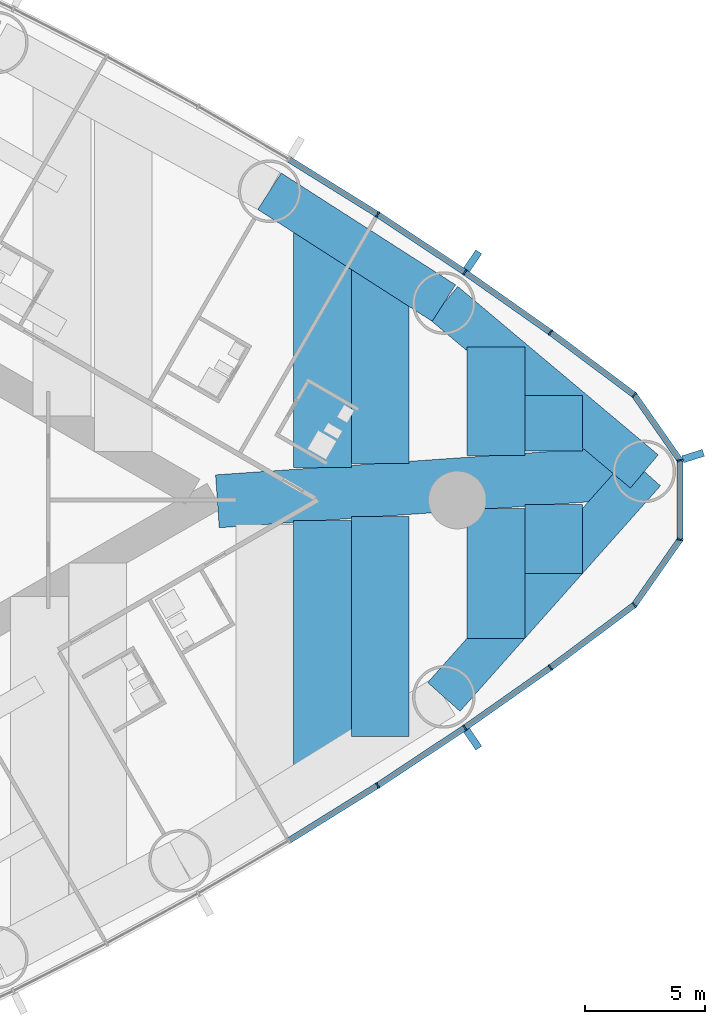
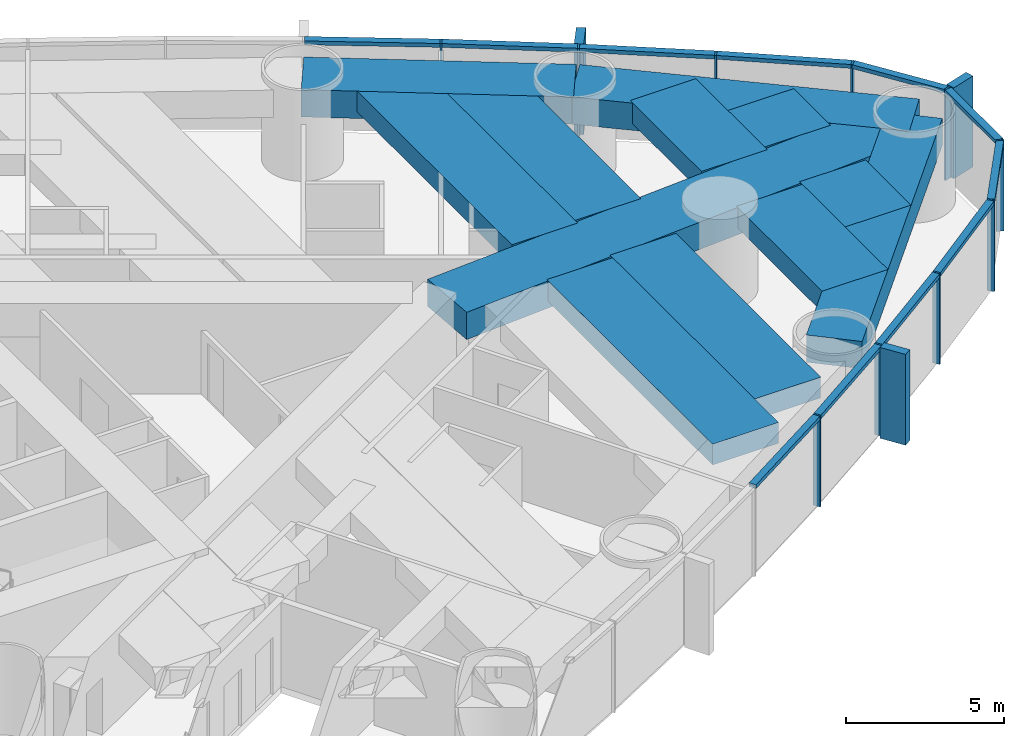
# One storey, part 8 of 18: 24 members, 12 beams, 1 element without a shape of its own.
"""IFC4 building model written with IfcOpenShell, lengths in metres."""

from ifc_helpers import new_model, si_unit, direction, frame, origin, origin_2d, place, context, subcontext, project, spatial, rectangle, extrude, material, material_profile, profile_set, type_object, element, aggregate, save


model = new_model("IFC4")

# Units and contexts
model_context = context("Model", 3, precision=1e-05, world=origin(), true_north=direction((0.0, 1.0)))
body_context = subcontext(model_context, "Body", "Model", "MODEL_VIEW")
ifc_project = project(units=[si_unit("LENGTHUNIT", "METRE"), si_unit("AREAUNIT", "SQUARE_METRE"), si_unit("VOLUMEUNIT", "CUBIC_METRE"), si_unit("PLANEANGLEUNIT", "RADIAN"), si_unit("MASSUNIT", "GRAM", prefix="KILO")], contexts=[model_context])

# Site, building, storey
site_placement = place(None, origin())
site = spatial("IfcSite", under=ifc_project, at=site_placement, CompositionType="ELEMENT")
building_placement = place(site_placement, origin())
building = spatial("IfcBuilding", under=site, at=building_placement, Name="Lancet Gate Hotel", CompositionType="ELEMENT")
storey_placement = place(building_placement, frame((0.0, 0.0, 129.10009765625)))
storey = spatial("IfcBuildingStorey", under=building, at=storey_placement, Name="L34", CompositionType="ELEMENT", Elevation=129.10009765625)

# Curtain wall, members
ifc_material_1 = material(Name="Aluminium curtain wall", Category="aluminium")
curtain_wall_type = type_object("IfcCurtainWallType", Name="Tower unitised curtain wall", PredefinedType="USERDEFINED", material=ifc_material_1)
curtain_wall_placement = place(storey_placement, origin())
curtain_wall = element("IfcCurtainWall", 1, at=curtain_wall_placement, inside=storey, type_object=curtain_wall_type, Name="T2 L34 curtain wall 1", ObjectType="UNITISED CURTAIN WALL", PredefinedType="USERDEFINED")
ifc_material_2 = material(Name="Aluminium mullion", Category="aluminium")
ifc_material_profile_1 = material_profile(ifc_material_2, rectangle(XDim=0.06494140625, YDim=0.25, at=origin_2d()), Name="MULLION 65x250")
ifc_profile_set_1 = profile_set([ifc_material_profile_1], Name="Aluminium mullion")
member_type_1 = type_object("IfcMemberType", Name="Aluminium mullion 65x250", PredefinedType="MULLION", material=ifc_profile_set_1)
member_1_placement = place(storey_placement, frame((58.188720703125, -11.8603515625, 0.0), z_axis=(0.0, 0.0, 1.0), x_axis=(0.841736224144, 0.539888996891, 0.0)))
member_1 = element("IfcMember", 2, at=member_1_placement, type_object=member_type_1, Name="T2 L34 curtain wall 1 mullion 13", PredefinedType="MULLION", context=body_context, shape_type="SweptSolid", body=[
    extrude(rectangle(XDim=0.06494140625, YDim=0.25, at=origin_2d()), origin(), (0.0, 0.0, 1.0), 3.5),
])
member_2_placement = place(storey_placement, frame((61.814208984375, -9.461669921875, 0.0), z_axis=(0.0, 0.0, 1.0), x_axis=(0.826065510491, 0.563574105489, 0.0)))
member_2 = element("IfcMember", 3, at=member_2_placement, type_object=member_type_1, Name="T2 L34 curtain wall 1 mullion 14", PredefinedType="MULLION", context=body_context, shape_type="SweptSolid", body=[
    extrude(rectangle(XDim=0.06494140625, YDim=0.25, at=origin_2d()), origin(), (0.0, 0.0, 1.0), 3.5),
])
member_3_placement = place(storey_placement, frame((65.370361328125, -6.9609375, 0.0), z_axis=(0.0, 0.0, 1.0), x_axis=(0.809728529035, 0.586804660229, 0.0)))
member_3 = element("IfcMember", 4, at=member_3_placement, type_object=member_type_1, Name="T2 L34 curtain wall 1 mullion 15", PredefinedType="MULLION", context=body_context, shape_type="SweptSolid", body=[
    extrude(rectangle(XDim=0.06494140625, YDim=0.25, at=origin_2d()), origin(), (0.0, 0.0, 1.0), 3.5),
])
member_4_placement = place(storey_placement, frame((68.853759765625, -4.360107421875, 0.0), z_axis=(0.0, 0.0, 1.0), x_axis=(0.711610374907, 0.702574319432, 0.0)))
member_4 = element("IfcMember", 5, at=member_4_placement, type_object=member_type_1, Name="T2 L34 curtain wall 1 mullion 16", PredefinedType="MULLION", context=body_context, shape_type="SweptSolid", body=[
    extrude(rectangle(XDim=0.06494140625, YDim=0.25, at=origin_2d()), origin(), (0.0, 0.0, 1.0), 3.5),
])
member_5_placement = place(storey_placement, frame((70.747314453125, -1.652099609375, 0.0), z_axis=(0.0, 0.0, 1.0), x_axis=(0.300384890639, 0.953818073574, 0.0)))
member_5 = element("IfcMember", 6, at=member_5_placement, type_object=member_type_1, Name="T2 L34 curtain wall 1 mullion 17", PredefinedType="MULLION", context=body_context, shape_type="SweptSolid", body=[
    extrude(rectangle(XDim=0.06494140625, YDim=0.25, at=origin_2d()), origin(), (0.0, 0.0, 1.0), 3.5),
])
member_6_placement = place(storey_placement, frame((70.747314453125, 1.652099609375, 0.0), z_axis=(0.0, 0.0, 1.0), x_axis=(-0.300384890639, 0.953818073574, 0.0)))
member_6 = element("IfcMember", 7, at=member_6_placement, type_object=member_type_1, Name="T2 L34 curtain wall 1 mullion 18", PredefinedType="MULLION", context=body_context, shape_type="SweptSolid", body=[
    extrude(rectangle(XDim=0.06494140625, YDim=0.25, at=origin_2d()), origin(), (0.0, 0.0, 1.0), 3.5),
])
member_7_placement = place(storey_placement, frame((68.853759765625, 4.360107421875, 0.0), z_axis=(0.0, 0.0, 1.0), x_axis=(-0.711610374907, 0.702574319432, 0.0)))
member_7 = element("IfcMember", 8, at=member_7_placement, type_object=member_type_1, Name="T2 L34 curtain wall 1 mullion 19", PredefinedType="MULLION", context=body_context, shape_type="SweptSolid", body=[
    extrude(rectangle(XDim=0.06494140625, YDim=0.25, at=origin_2d()), origin(), (0.0, 0.0, 1.0), 3.5),
])
member_8_placement = place(storey_placement, frame((65.370361328125, 6.9609375, 0.0), z_axis=(0.0, 0.0, 1.0), x_axis=(-0.809728529035, 0.586804660229, 0.0)))
member_8 = element("IfcMember", 9, at=member_8_placement, type_object=member_type_1, Name="T2 L34 curtain wall 1 mullion 20", PredefinedType="MULLION", context=body_context, shape_type="SweptSolid", body=[
    extrude(rectangle(XDim=0.06494140625, YDim=0.25, at=origin_2d()), origin(), (0.0, 0.0, 1.0), 3.5),
])
member_9_placement = place(storey_placement, frame((61.814208984375, 9.461669921875, 0.0), z_axis=(0.0, 0.0, 1.0), x_axis=(-0.826065510491, 0.563574105489, 0.0)))
member_9 = element("IfcMember", 10, at=member_9_placement, type_object=member_type_1, Name="T2 L34 curtain wall 1 mullion 21", PredefinedType="MULLION", context=body_context, shape_type="SweptSolid", body=[
    extrude(rectangle(XDim=0.06494140625, YDim=0.25, at=origin_2d()), origin(), (0.0, 0.0, 1.0), 3.5),
])
member_10_placement = place(storey_placement, frame((58.188720703125, 11.8603515625, 0.0), z_axis=(0.0, 0.0, 1.0), x_axis=(-0.841736224144, 0.539888996891, 0.0)))
member_10 = element("IfcMember", 11, at=member_10_placement, type_object=member_type_1, Name="T2 L34 curtain wall 1 mullion 22", PredefinedType="MULLION", context=body_context, shape_type="SweptSolid", body=[
    extrude(rectangle(XDim=0.06494140625, YDim=0.25, at=origin_2d()), origin(), (0.0, 0.0, 1.0), 3.5),
])
ifc_material_3 = material(Name="Aluminium transom", Category="aluminium")
ifc_material_profile_2 = material_profile(ifc_material_3, rectangle(XDim=0.25, YDim=0.14990234375, at=origin_2d()), Name="TRANSOM 250x150")
ifc_profile_set_2 = profile_set([ifc_material_profile_2], Name="Aluminium transom")
member_type_2 = type_object("IfcMemberType", Name="Aluminium transom 250x150", PredefinedType="USERDEFINED", material=ifc_profile_set_2)
member_11_placement = place(storey_placement, frame((54.52392578125, -14.13818359375, 3.4248046875), z_axis=(0.849308812566, 0.527896335371, 0.0), x_axis=(-0.527896335371, 0.849308812566, 0.0)))
member_11 = element("IfcMember", 12, at=member_11_placement, type_object=member_type_2, Name="T2 L34 curtain wall 1 transom 12", ObjectType="TRANSOM", PredefinedType="USERDEFINED", context=body_context, shape_type="SweptSolid", body=[
    extrude(rectangle(XDim=0.25, YDim=0.14990234375, at=origin_2d()), origin(), (0.0, 0.0, 1.0), 4.282470703125),
])
member_12_placement = place(storey_placement, frame((58.2158203125, -11.842529296875, 3.4248046875), z_axis=(0.833966159038, 0.551815590192, 0.0), x_axis=(-0.551815590192, 0.833966159038, 0.0)))
member_12 = element("IfcMember", 13, at=member_12_placement, type_object=member_type_2, Name="T2 L34 curtain wall 1 transom 13", ObjectType="TRANSOM", PredefinedType="USERDEFINED", context=body_context, shape_type="SweptSolid", body=[
    extrude(rectangle(XDim=0.25, YDim=0.14990234375, at=origin_2d()), origin(), (0.0, 0.0, 1.0), 4.2822265625),
])
member_13_placement = place(storey_placement, frame((61.8408203125, -9.44287109375, 3.4248046875), z_axis=(0.817987243547, 0.57523635959, 0.0), x_axis=(-0.57523635959, 0.817987243547, 0.0)))
member_13 = element("IfcMember", 14, at=member_13_placement, type_object=member_type_2, Name="T2 L34 curtain wall 1 transom 14", ObjectType="TRANSOM", PredefinedType="USERDEFINED", context=body_context, shape_type="SweptSolid", body=[
    extrude(rectangle(XDim=0.25, YDim=0.14990234375, at=origin_2d()), origin(), (0.0, 0.0, 1.0), 4.282470703125),
])
member_14_placement = place(storey_placement, frame((65.396240234375, -6.94140625, 3.4248046875), z_axis=(0.801311559064, 0.598247261014, 0.0), x_axis=(-0.598247261014, 0.801311559064, 0.0)))
member_14 = element("IfcMember", 15, at=member_14_placement, type_object=member_type_2, Name="T2 L34 curtain wall 1 transom 15", ObjectType="TRANSOM", PredefinedType="USERDEFINED", context=body_context, shape_type="SweptSolid", body=[
    extrude(rectangle(XDim=0.25, YDim=0.14990234375, at=origin_2d()), origin(), (0.0, 0.0, 1.0), 4.282470703125),
])
member_15_placement = place(storey_placement, frame((68.87255859375, -4.33349609375, 3.4248046875), z_axis=(0.573017137751, 0.819543384967, 0.0), x_axis=(-0.819543384967, 0.573017137751, 0.0)))
member_15 = element("IfcMember", 16, at=member_15_placement, type_object=member_type_2, Name="T2 L34 curtain wall 1 transom 16", ObjectType="TRANSOM", PredefinedType="USERDEFINED", context=body_context, shape_type="SweptSolid", body=[
    extrude(rectangle(XDim=0.25, YDim=0.14990234375, at=origin_2d()), origin(), (0.0, 0.0, 1.0), 3.2392578125),
])
member_16_placement = place(storey_placement, frame((70.747314453125, -1.61962890625, 3.4248046875), z_axis=(0.0, 1.0, 0.0), x_axis=(-1.0, 0.0, 0.0)))
member_16 = element("IfcMember", 17, at=member_16_placement, type_object=member_type_2, Name="T2 L34 curtain wall 1 transom 17", ObjectType="TRANSOM", PredefinedType="USERDEFINED", context=body_context, shape_type="SweptSolid", body=[
    extrude(rectangle(XDim=0.25, YDim=0.14990234375, at=origin_2d()), origin(), (0.0, 0.0, 1.0), 3.2392578125),
])
member_17_placement = place(storey_placement, frame((70.728759765625, 1.6787109375, 3.4248046875), z_axis=(-0.573017137751, 0.819543384967, 0.0), x_axis=(-0.819543384967, -0.573017137751, 0.0)))
member_17 = element("IfcMember", 18, at=member_17_placement, type_object=member_type_2, Name="T2 L34 curtain wall 1 transom 18", ObjectType="TRANSOM", PredefinedType="USERDEFINED", context=body_context, shape_type="SweptSolid", body=[
    extrude(rectangle(XDim=0.25, YDim=0.14990234375, at=origin_2d()), origin(), (0.0, 0.0, 1.0), 3.2392578125),
])
member_18_placement = place(storey_placement, frame((68.827880859375, 4.37939453125, 3.4248046875), z_axis=(-0.801311559064, 0.598247261014, 0.0), x_axis=(-0.598247261014, -0.801311559064, 0.0)))
member_18 = element("IfcMember", 19, at=member_18_placement, type_object=member_type_2, Name="T2 L34 curtain wall 1 transom 19", ObjectType="TRANSOM", PredefinedType="USERDEFINED", context=body_context, shape_type="SweptSolid", body=[
    extrude(rectangle(XDim=0.25, YDim=0.14990234375, at=origin_2d()), origin(), (0.0, 0.0, 1.0), 4.282470703125),
])
member_19_placement = place(storey_placement, frame((65.34375, 6.9794921875, 3.4248046875), z_axis=(-0.817987243547, 0.57523635959, 0.0), x_axis=(-0.57523635959, -0.817987243547, 0.0)))
member_19 = element("IfcMember", 20, at=member_19_placement, type_object=member_type_2, Name="T2 L34 curtain wall 1 transom 20", ObjectType="TRANSOM", PredefinedType="USERDEFINED", context=body_context, shape_type="SweptSolid", body=[
    extrude(rectangle(XDim=0.25, YDim=0.14990234375, at=origin_2d()), origin(), (0.0, 0.0, 1.0), 4.282470703125),
])
member_20_placement = place(storey_placement, frame((61.787109375, 9.4794921875, 3.4248046875), z_axis=(-0.833966159038, 0.551815590192, 0.0), x_axis=(-0.551815590192, -0.833966159038, 0.0)))
member_20 = element("IfcMember", 21, at=member_20_placement, type_object=member_type_2, Name="T2 L34 curtain wall 1 transom 21", ObjectType="TRANSOM", PredefinedType="USERDEFINED", context=body_context, shape_type="SweptSolid", body=[
    extrude(rectangle(XDim=0.25, YDim=0.14990234375, at=origin_2d()), origin(), (0.0, 0.0, 1.0), 4.2822265625),
])
member_21_placement = place(storey_placement, frame((58.1611328125, 11.87744140625, 3.4248046875), z_axis=(-0.849308812566, 0.527896335371, 0.0), x_axis=(-0.527896335371, -0.849308812566, 0.0)))
member_21 = element("IfcMember", 22, at=member_21_placement, type_object=member_type_2, Name="T2 L34 curtain wall 1 transom 22", ObjectType="TRANSOM", PredefinedType="USERDEFINED", context=body_context, shape_type="SweptSolid", body=[
    extrude(rectangle(XDim=0.25, YDim=0.14990234375, at=origin_2d()), origin(), (0.0, 0.0, 1.0), 4.282470703125),
])

# Beams
ifc_material_4 = material(Name="Concrete C50/60", Category="concrete")
ifc_material_profile_3 = material_profile(ifc_material_4, rectangle(XDim=1.800048828125, YDim=1.050048828125, at=origin_2d()), Name="RC 1800x1050")
ifc_profile_set_3 = profile_set([ifc_material_profile_3], Name="Concrete C50/60")
beam_type_1 = type_object("IfcBeamType", Name="Edge beam RC 1800x1050", PredefinedType="SPANDREL", material=ifc_profile_set_3)
beam_1_placement = place(storey_placement, frame((60.940673828125, -8.18115234375, 2.724853515625), z_axis=(0.664421866815, 0.74735773422, 0.0), x_axis=(-0.74735773422, 0.664421866815, 0.0)))
element("IfcBeam", 23, at=beam_1_placement, inside=storey, type_object=beam_type_1, Name="T2 edge beam EB1 L34", PredefinedType="SPANDREL", context=body_context, shape_type="SweptSolid", body=[
    extrude(rectangle(XDim=1.800048828125, YDim=1.050048828125, at=origin_2d()), origin(), (0.0, 0.0, 1.0), 12.534423828125),
])
beam_2_placement = place(storey_placement, frame((69.268798828125, 1.1865234375, 2.724853515625), z_axis=(-0.765749969712, 0.643138386264, 0.0), x_axis=(-0.643138386264, -0.765749969712, 0.0)))
element("IfcBeam", 24, at=beam_2_placement, inside=storey, type_object=beam_type_1, Name="T2 edge beam EB1 L34", PredefinedType="SPANDREL", context=body_context, shape_type="SweptSolid", body=[
    extrude(rectangle(XDim=1.800048828125, YDim=1.050048828125, at=origin_2d()), origin(), (0.0, 0.0, 1.0), 10.875732421875),
])
beam_3_placement = place(storey_placement, frame((60.940673828125, 8.18115234375, 2.724853515625), z_axis=(-0.841727408736, 0.539902740669, 0.0), x_axis=(-0.539902740669, -0.841727408736, 0.0)))
element("IfcBeam", 25, at=beam_3_placement, inside=storey, type_object=beam_type_1, Name="T2 edge beam EB1 L34", PredefinedType="SPANDREL", context=body_context, shape_type="SweptSolid", body=[
    extrude(rectangle(XDim=1.800048828125, YDim=1.050048828125, at=origin_2d()), origin(), (0.0, 0.0, 1.0), 8.605712890625),
])

# Member
ifc_material_5 = material(Name="Precast concrete C50/60", Category="concrete")
ifc_material_profile_4 = material_profile(ifc_material_5, rectangle(XDim=0.300048828125, YDim=0.89990234375, at=origin_2d()), Name="FIN 300x900")
ifc_profile_set_4 = profile_set([ifc_material_profile_4], Name="Precast concrete C50/60")
member_type_3 = type_object("IfcMemberType", Name="Exposed concrete fin 300x900", PredefinedType="USERDEFINED", material=ifc_profile_set_4)
member_22_placement = place(storey_placement, frame((62.138427734375, -9.9365234375, 0.0), z_axis=(0.0, 0.0, 1.0), x_axis=(0.826065510491, 0.563574105489, 0.0)))
member_22 = element("IfcMember", 26, at=member_22_placement, type_object=member_type_3, Name="T2 L34 curtain wall 1 fin 14", ObjectType="FIN", PredefinedType="USERDEFINED", context=body_context, shape_type="SweptSolid", body=[
    extrude(rectangle(XDim=0.300048828125, YDim=0.89990234375, at=origin_2d()), origin(), (0.0, 0.0, 1.0), 3.5),
])

member_23_placement = place(storey_placement, frame((71.295654296875, 1.824951171875, 0.0), z_axis=(0.0, 0.0, 1.0), x_axis=(-0.300384890639, 0.953818073574, 0.0)))
member_23 = element("IfcMember", 27, at=member_23_placement, type_object=member_type_3, Name="T2 L34 curtain wall 1 fin 18", ObjectType="FIN", PredefinedType="USERDEFINED", context=body_context, shape_type="SweptSolid", body=[
    extrude(rectangle(XDim=0.300048828125, YDim=0.89990234375, at=origin_2d()), origin(), (0.0, 0.0, 1.0), 3.5),
])

member_24_placement = place(storey_placement, frame((62.138427734375, 9.9365234375, 0.0), z_axis=(0.0, 0.0, 1.0), x_axis=(-0.826065510491, 0.563574105489, 0.0)))
member_24 = element("IfcMember", 28, at=member_24_placement, type_object=member_type_3, Name="T2 L34 curtain wall 1 fin 21", ObjectType="FIN", PredefinedType="USERDEFINED", context=body_context, shape_type="SweptSolid", body=[
    extrude(rectangle(XDim=0.300048828125, YDim=0.89990234375, at=origin_2d()), origin(), (0.0, 0.0, 1.0), 3.5),
])

aggregate(curtain_wall, [member_1, member_2, member_22, member_3, member_4, member_5, member_6, member_23, member_7, member_8, member_9, member_24, member_10, member_11, member_12, member_13, member_14, member_15, member_16, member_17, member_18, member_19, member_20, member_21])

# Beams
ifc_material_6 = material(Name="Concrete C50/60", Category="concrete")
ifc_material_profile_5 = material_profile(ifc_material_6, rectangle(XDim=2.39990234375, YDim=0.800048828125, at=origin_2d()), Name="RC 2400x800")
ifc_profile_set_5 = profile_set([ifc_material_profile_5], Name="Concrete C50/60")
beam_type_2 = type_object("IfcBeamType", Name="Floor beam RC 2400x800", PredefinedType="BEAM", material=ifc_profile_set_5)
beam_4_placement = place(storey_placement, frame((55.90234375, -11.312744140625, 2.849853515625), z_axis=(0.0, 1.0, 0.0), x_axis=(-1.0, 0.0, 0.0)))
element("IfcBeam", 29, at=beam_4_placement, inside=storey, type_object=beam_type_2, Name="T2 floor beam F14S L34", PredefinedType="BEAM", context=body_context, shape_type="SweptSolid", body=[
    extrude(rectangle(XDim=2.39990234375, YDim=0.800048828125, at=origin_2d()), origin(), (0.0, 0.0, 1.0), 10.4619140625),
])
beam_5_placement = place(storey_placement, frame((55.90234375, 1.3544921875, 2.849853515625), z_axis=(0.0, 1.0, 0.0), x_axis=(-1.0, 0.0, 0.0)))
element("IfcBeam", 30, at=beam_5_placement, inside=storey, type_object=beam_type_2, Name="T2 floor beam F15N L34", PredefinedType="BEAM", context=body_context, shape_type="SweptSolid", body=[
    extrude(rectangle(XDim=2.39990234375, YDim=0.800048828125, at=origin_2d()), origin(), (0.0, 0.0, 1.0), 10.058349609375),
])
beam_6_placement = place(storey_placement, frame((58.30224609375, -9.821044921875, 2.849853515625), z_axis=(0.0, 1.0, 0.0), x_axis=(-1.0, 0.0, 0.0)))
element("IfcBeam", 31, at=beam_6_placement, inside=storey, type_object=beam_type_2, Name="T2 floor beam F16S L34", PredefinedType="BEAM", context=body_context, shape_type="SweptSolid", body=[
    extrude(rectangle(XDim=2.39990234375, YDim=0.800048828125, at=origin_2d()), origin(), (0.0, 0.0, 1.0), 9.137939453125),
])
beam_7_placement = place(storey_placement, frame((58.30224609375, 1.522216796875, 2.849853515625), z_axis=(0.0, 1.0, 0.0), x_axis=(-1.0, 0.0, 0.0)))
element("IfcBeam", 32, at=beam_7_placement, inside=storey, type_object=beam_type_2, Name="T2 floor beam F17N L34", PredefinedType="BEAM", context=body_context, shape_type="SweptSolid", body=[
    extrude(rectangle(XDim=2.39990234375, YDim=0.800048828125, at=origin_2d()), origin(), (0.0, 0.0, 1.0), 8.351318359375),
])
beam_8_placement = place(storey_placement, frame((63.102294921875, -5.75, 2.849853515625), z_axis=(0.0, 1.0, 0.0), x_axis=(-1.0, 0.0, 0.0)))
element("IfcBeam", 33, at=beam_8_placement, inside=storey, type_object=beam_type_2, Name="T2 floor beam F18S L34", PredefinedType="BEAM", context=body_context, shape_type="SweptSolid", body=[
    extrude(rectangle(XDim=2.39990234375, YDim=0.800048828125, at=origin_2d()), origin(), (0.0, 0.0, 1.0), 5.402587890625),
])
beam_9_placement = place(storey_placement, frame((63.102294921875, 1.85791015625, 2.849853515625), z_axis=(0.0, 1.0, 0.0), x_axis=(-1.0, 0.0, 0.0)))
element("IfcBeam", 34, at=beam_9_placement, inside=storey, type_object=beam_type_2, Name="T2 floor beam F19N L34", PredefinedType="BEAM", context=body_context, shape_type="SweptSolid", body=[
    extrude(rectangle(XDim=2.39990234375, YDim=0.800048828125, at=origin_2d()), origin(), (0.0, 0.0, 1.0), 4.5078125),
])
beam_10_placement = place(storey_placement, frame((65.502197265625, -3.05029296875, 2.849853515625), z_axis=(0.0, 1.0, 0.0), x_axis=(-1.0, 0.0, 0.0)))
element("IfcBeam", 35, at=beam_10_placement, inside=storey, type_object=beam_type_2, Name="T2 floor beam F20S L34", PredefinedType="BEAM", context=body_context, shape_type="SweptSolid", body=[
    extrude(rectangle(XDim=2.39990234375, YDim=0.800048828125, at=origin_2d()), origin(), (0.0, 0.0, 1.0), 2.87060546875),
])
beam_11_placement = place(storey_placement, frame((65.502197265625, 2.02587890625, 2.849853515625), z_axis=(0.0, 1.0, 0.0), x_axis=(-1.0, 0.0, 0.0)))
element("IfcBeam", 36, at=beam_11_placement, inside=storey, type_object=beam_type_2, Name="T2 floor beam F21N L34", PredefinedType="BEAM", context=body_context, shape_type="SweptSolid", body=[
    extrude(rectangle(XDim=2.39990234375, YDim=0.800048828125, at=origin_2d()), origin(), (0.0, 0.0, 1.0), 2.32421875),
])
ifc_material_7 = material(Name="Concrete C50/60", Category="concrete")
ifc_material_profile_6 = material_profile(ifc_material_7, rectangle(XDim=2.199951171875, YDim=1.050048828125, at=origin_2d()), Name="RC 2200x1050")
ifc_profile_set_6 = profile_set([ifc_material_profile_6], Name="Concrete C50/60")
beam_type_3 = type_object("IfcBeamType", Name="Radial floor beam RC 2200x1050", PredefinedType="BEAM", material=ifc_profile_set_6)
beam_12_placement = place(storey_placement, frame((69.268798828125, 1.1865234375, 2.724853515625), z_axis=(-0.99756389092, -0.069758752369, 0.0), x_axis=(0.069758752369, -0.99756389092, 0.0)))
element("IfcBeam", 37, at=beam_12_placement, inside=storey, type_object=beam_type_3, Name="T2 radial beam CA L34", PredefinedType="BEAM", context=body_context, shape_type="SweptSolid", body=[
    extrude(rectangle(XDim=2.199951171875, YDim=1.050048828125, at=origin_2d()), origin(), (0.0, 0.0, 1.0), 17.77880859375),
])

save(model, "model.ifc")
